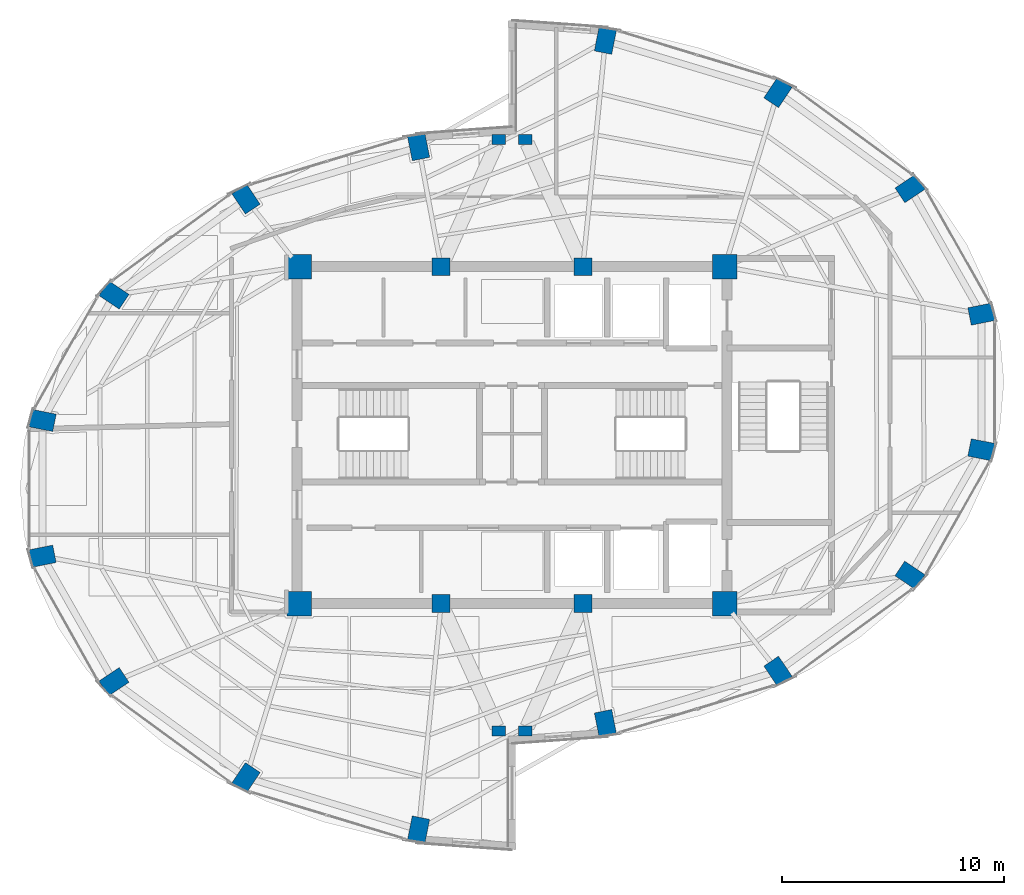
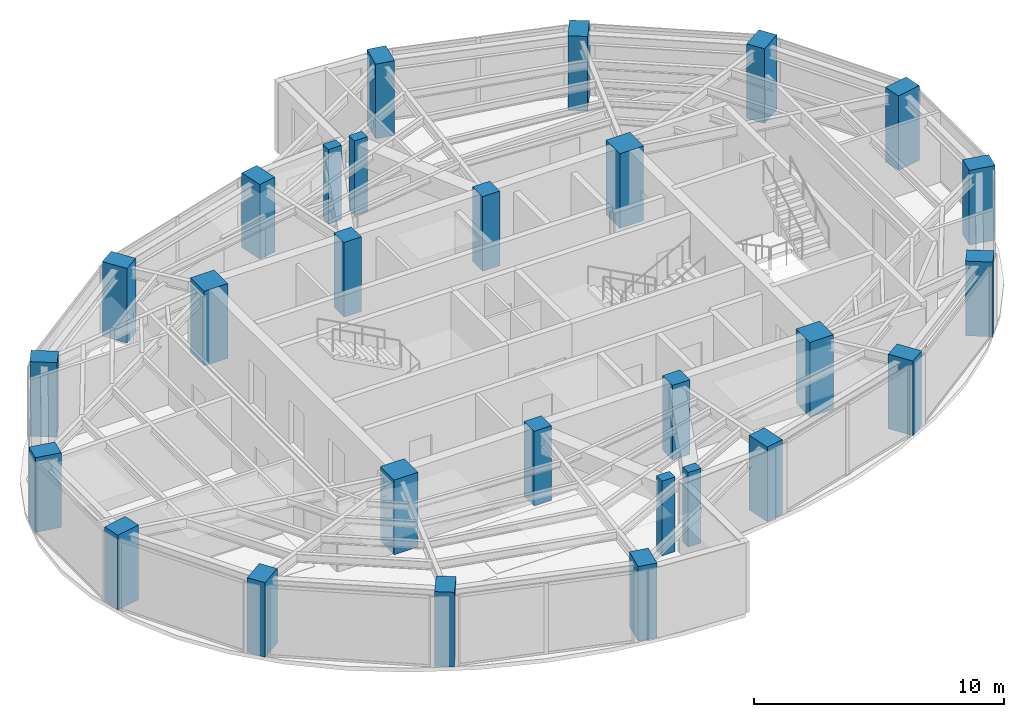
# One storey, part 1 of 23: 28 columns.
"""IFC4 building model written with IfcOpenShell, lengths in metres."""

from ifc_helpers import new_model, si_unit, direction, frame, origin, origin_2d, place, context, subcontext, project, spatial, rectangle, extrude, material, material_profile, profile_set, type_object, element, save


model = new_model("IFC4")

# Units and contexts
model_context = context("Model", 3, precision=1e-05, world=origin(), true_north=direction((0.0, 1.0)))
body_context = subcontext(model_context, "Body", "Model", "MODEL_VIEW")
ifc_project = project(units=[si_unit("LENGTHUNIT", "METRE"), si_unit("AREAUNIT", "SQUARE_METRE"), si_unit("VOLUMEUNIT", "CUBIC_METRE"), si_unit("PLANEANGLEUNIT", "RADIAN"), si_unit("MASSUNIT", "GRAM", prefix="KILO")], contexts=[model_context])

# Site, building, storey
site_placement = place(None, origin())
site = spatial("IfcSite", under=ifc_project, at=site_placement, CompositionType="ELEMENT")
building_placement = place(site_placement, origin())
building = spatial("IfcBuilding", under=site, at=building_placement, Name="Lazwardi Medical Tower", CompositionType="ELEMENT")
storey_placement = place(building_placement, frame((0.0, 0.0, 231.31201171875)))
storey = spatial("IfcBuildingStorey", under=building, at=storey_placement, Name="L60", CompositionType="ELEMENT", Elevation=231.31201171875)

# Columns
ifc_material_1 = material(Name="Concrete C80/95", Category="concrete")
ifc_material_profile_1 = material_profile(ifc_material_1, rectangle(XDim=1.10009765625, YDim=1.10009765625, at=origin_2d()), Name="RC 1100x1100")
ifc_profile_set_1 = profile_set([ifc_material_profile_1], Name="Concrete C80/95")
column_type_1 = type_object("IfcColumnType", Name="COL-CC-L", PredefinedType="COLUMN", material=ifc_profile_set_1)
for number, where, z_axis, x_axis, name in (
    (1, (26.39990234375, 20.39990234375, 0.0), (0.0, 0.0, 1.0), (1.0, 0.0, 0.0), "Core column CC-01 CC1 L60"),
    (2, (45.60009765625, 20.39990234375, 0.0), (0.0, 0.0, 1.0), (1.0, 0.0, 0.0), "Core column CC-01 CC4 L60"),
    (3, (45.60009765625, 35.60009765625, 0.0), (0.0, 0.0, 1.0), (1.0, 0.0, 0.0), "Core column CC-01 CC5 L60"),
    (4, (26.39990234375, 35.60009765625, 0.0), (0.0, 0.0, 1.0), (1.0, 0.0, 0.0), "Core column CC-01 CC8 L60"),
):
    element("IfcColumn", number, at=place(storey_placement, frame(where, z_axis=z_axis, x_axis=x_axis)), inside=storey, type_object=column_type_1, Name=name, PredefinedType="COLUMN", context=body_context, shape_type="SweptSolid", body=[
        extrude(rectangle(XDim=1.10009765625, YDim=1.10009765625, at=origin_2d()), origin(), (0.0, 0.0, 1.0), 3.64794921875),
    ])
ifc_material_2 = material(Name="Concrete C60/75", Category="concrete")
ifc_material_profile_2 = material_profile(ifc_material_2, rectangle(XDim=0.800048828125, YDim=0.800048828125, at=origin_2d()), Name="RC 800x800")
ifc_profile_set_2 = profile_set([ifc_material_profile_2], Name="Concrete C60/75")
column_type_2 = type_object("IfcColumnType", Name="COL-CC-U", PredefinedType="COLUMN", material=ifc_profile_set_2)
for number, where, z_axis, x_axis, name in (
    (5, (32.800048828125, 20.39990234375, 0.0), (0.0, 0.0, 1.0), (1.0, 0.0, 0.0), "Core column CC-03 CC2 L60"),
    (6, (39.199951171875, 20.39990234375, 0.0), (0.0, 0.0, 1.0), (1.0, 0.0, 0.0), "Core column CC-03 CC3 L60"),
    (7, (39.199951171875, 35.60009765625, 0.0), (0.0, 0.0, 1.0), (1.0, 0.0, 0.0), "Core column CC-03 CC6 L60"),
    (8, (32.800048828125, 35.60009765625, 0.0), (0.0, 0.0, 1.0), (1.0, 0.0, 0.0), "Core column CC-03 CC7 L60"),
):
    element("IfcColumn", number, at=place(storey_placement, frame(where, z_axis=z_axis, x_axis=x_axis)), inside=storey, type_object=column_type_2, Name=name, PredefinedType="COLUMN", context=body_context, shape_type="SweptSolid", body=[
        extrude(rectangle(XDim=0.800048828125, YDim=0.800048828125, at=origin_2d()), origin(), (0.0, 0.0, 1.0), 3.64794921875),
    ])
ifc_material_profile_3 = material_profile(ifc_material_2, rectangle(XDim=1.10009765625, YDim=0.800048828125, at=origin_2d()), Name="CFT-RECT 1100x800")
ifc_profile_set_3 = profile_set([ifc_material_profile_3], Name="Concrete C60/75")
column_type_3 = type_object("IfcColumnType", Name="COL-MC-Z4", PredefinedType="COLUMN", material=ifc_profile_set_3)
for number, where, z_axis, x_axis, name in (
    (9, (40.214111328125, 15.001708984375, 0.0), (0.0, 0.0, 1.0), (0.195090322016, -0.980785280403, 0.0), "Mega column MC-06 M01 L60"),
    (10, (48.000244140625, 17.345947265625, 0.0), (0.0, 0.0, 1.0), (0.55557023302, -0.831469612303, 0.0), "Mega column MC-06 M02 L60"),
    (11, (53.959716796875, 21.677490234375, 0.0), (0.0, 0.0, 1.0), (0.831469612303, -0.55557023302, 0.0), "Mega column MC-06 M03 L60"),
    (12, (57.18505859375, 27.337158203125, 0.0), (0.0, 0.0, 1.0), (0.980785280403, -0.195090322016, 0.0), "Mega column MC-06 M04 L60"),
    (13, (57.18505859375, 33.462890625, 0.0), (0.0, 0.0, 1.0), (0.980785280403, 0.195090322016, 0.0), "Mega column MC-06 M05 L60"),
    (14, (53.959716796875, 39.12255859375, 0.0), (0.0, 0.0, 1.0), (0.831469612303, 0.55557023302, 0.0), "Mega column MC-06 M06 L60"),
    (15, (48.000244140625, 43.4541015625, 0.0), (0.0, 0.0, 1.0), (0.55557023302, 0.831469612303, 0.0), "Mega column MC-06 M07 L60"),
    (16, (40.214111328125, 45.79833984375, 0.0), (0.0, 0.0, 1.0), (0.195090322016, 0.980785280403, 0.0), "Mega column MC-06 M08 L60"),
    (17, (31.785888671875, 40.998291015625, 0.0), (0.0, 0.0, 1.0), (-0.195090322016, 0.980785280403, 0.0), "Mega column MC-06 M09 L60"),
    (18, (23.999755859375, 38.654052734375, 0.0), (0.0, 0.0, 1.0), (-0.55557023302, 0.831469612303, 0.0), "Mega column MC-06 M10 L60"),
    (19, (18.040283203125, 34.322509765625, 0.0), (0.0, 0.0, 1.0), (-0.831469612303, 0.55557023302, 0.0), "Mega column MC-06 M11 L60"),
    (20, (14.81494140625, 28.662841796875, 0.0), (0.0, 0.0, 1.0), (-0.980785280403, 0.195090322016, 0.0), "Mega column MC-06 M12 L60"),
    (21, (14.81494140625, 22.537109375, 0.0), (0.0, 0.0, 1.0), (-0.980785280403, -0.195090322016, 0.0), "Mega column MC-06 M13 L60"),
    (22, (18.040283203125, 16.87744140625, 0.0), (0.0, 0.0, 1.0), (-0.831469612303, -0.55557023302, 0.0), "Mega column MC-06 M14 L60"),
    (23, (23.999755859375, 12.5458984375, 0.0), (0.0, 0.0, 1.0), (-0.55557023302, -0.831469612303, 0.0), "Mega column MC-06 M15 L60"),
    (24, (31.785888671875, 10.20166015625, 0.0), (0.0, 0.0, 1.0), (-0.195090322016, -0.980785280403, 0.0), "Mega column MC-06 M16 L60"),
):
    element("IfcColumn", number, at=place(storey_placement, frame(where, z_axis=z_axis, x_axis=x_axis)), inside=storey, type_object=column_type_3, Name=name, PredefinedType="COLUMN", context=body_context, shape_type="SweptSolid", body=[
        extrude(rectangle(XDim=1.10009765625, YDim=0.800048828125, at=origin_2d()), origin(), (0.0, 0.0, 1.0), 3.64794921875),
    ])
ifc_material_profile_4 = material_profile(ifc_material_2, rectangle(XDim=0.60009765625, YDim=0.449951171875, at=origin_2d()), Name="RC 600x450")
ifc_profile_set_4 = profile_set([ifc_material_profile_4], Name="Concrete C60/75")
column_type_4 = type_object("IfcColumnType", Name="COL-PL-IW", PredefinedType="PILASTER", material=ifc_profile_set_4)
for number, where, z_axis, x_axis, name in (
    (25, (35.39990234375, 41.35009765625, 0.0), (0.0, 0.0, 1.0), (1.0, 0.0, 0.0), "Iwan pilaster column PL-C1 PL1 L60"),
    (26, (36.60009765625, 41.35009765625, 0.0), (0.0, 0.0, 1.0), (1.0, 0.0, 0.0), "Iwan pilaster column PL-C1 PL2 L60"),
    (27, (35.39990234375, 14.64990234375, 0.0), (0.0, 0.0, 1.0), (1.0, 0.0, 0.0), "Iwan pilaster column PL-C1 PL3 L60"),
    (28, (36.60009765625, 14.64990234375, 0.0), (0.0, 0.0, 1.0), (1.0, 0.0, 0.0), "Iwan pilaster column PL-C1 PL4 L60"),
):
    element("IfcColumn", number, at=place(storey_placement, frame(where, z_axis=z_axis, x_axis=x_axis)), inside=storey, type_object=column_type_4, Name=name, PredefinedType="PILASTER", context=body_context, shape_type="SweptSolid", body=[
        extrude(rectangle(XDim=0.60009765625, YDim=0.449951171875, at=origin_2d()), origin(), (0.0, 0.0, 1.0), 3.64794921875),
    ])

save(model, "model.ifc")
